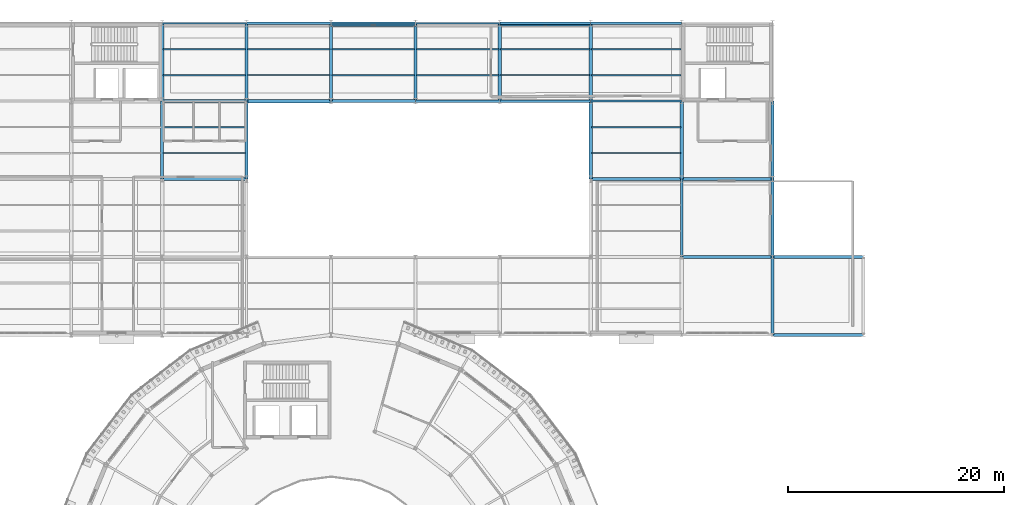
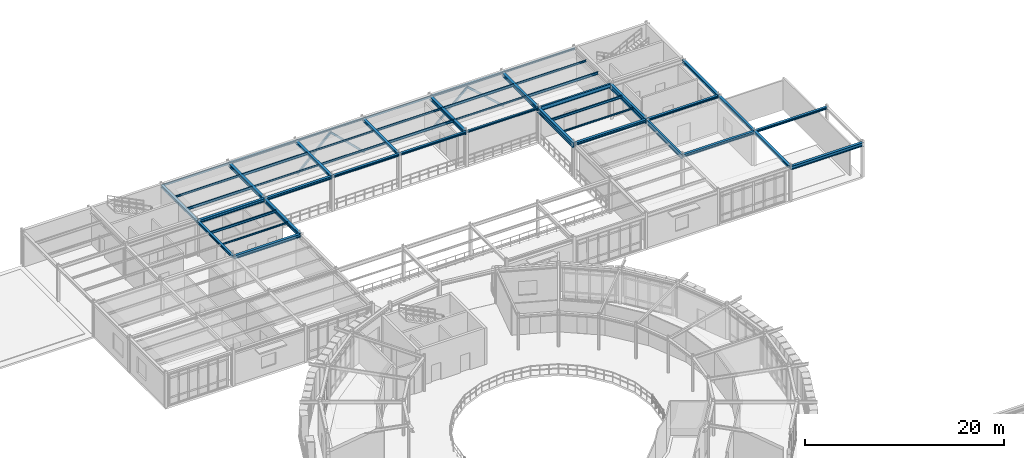
# One storey, part 59 of 106: 48 beams, 4 members.
"""IFC4 building model written with IfcOpenShell, lengths in metres."""

from ifc_helpers import new_model, si_unit, derived_unit, direction, frame, origin, origin_2d, place, context, subcontext, project, spatial, hollow_rectangle, i_section, extrude, material, material_profile, profile_set, type_object, element, save


model = new_model("IFC4")

# Units and contexts
model_context = context("Model", 3, precision=1e-05, world=origin(), true_north=direction((0.0, 1.0)))
body_context = subcontext(model_context, "Body", "Model", "MODEL_VIEW")
ifc_project = project(units=[si_unit("LENGTHUNIT", "METRE"), si_unit("AREAUNIT", "SQUARE_METRE"), si_unit("VOLUMEUNIT", "CUBIC_METRE"), si_unit("PLANEANGLEUNIT", "RADIAN"), si_unit("MASSUNIT", "GRAM", prefix="KILO"), derived_unit("THERMALTRANSMITTANCEUNIT", [(si_unit("POWERUNIT", "WATT"), 1), (si_unit("AREAUNIT", "SQUARE_METRE"), -1), (si_unit("THERMODYNAMICTEMPERATUREUNIT", "KELVIN"), -1)])], contexts=[model_context])

# Site, building, storey
site_placement = place(None, origin())
site = spatial("IfcSite", under=ifc_project, at=site_placement, CompositionType="ELEMENT")
building_placement = place(site_placement, origin())
building = spatial("IfcBuilding", under=site, at=building_placement, Name="Yasenodar Specialist Clinic", CompositionType="ELEMENT")
storey_placement = place(building_placement, frame((0.0, 0.0, 4.5)))
storey = spatial("IfcBuildingStorey", under=building, at=storey_placement, Name="L01", CompositionType="ELEMENT", Elevation=4.5)

# Beams
ifc_material = material(Name="Steel S355", Category="steel")
ifc_material_profile_1 = material_profile(ifc_material, i_section(OverallWidth=0.219970703125, OverallDepth=0.2099609375, WebThickness=0.007080078125, FlangeThickness=0.010986328125, FilletRadius=0.01806640625, at=origin_2d()), Name="HEA 220")
ifc_profile_set_1 = profile_set([ifc_material_profile_1], Name="Steel S355")
beam_type_1 = type_object("IfcBeamType", Name="BM-HEA220", PredefinedType="BEAM", material=ifc_profile_set_1)
beam_1_placement = place(storey_placement, frame((96.60009765625, 104.39990234375, 4.14501953125), z_axis=(1.0, 0.0, 0.0), x_axis=(0.0, 1.0, 0.0)))
element("IfcBeam", 1, at=beam_1_placement, inside=storey, type_object=beam_type_1, Name="L01 Primary E-W Girder", PredefinedType="BEAM", context=body_context, shape_type="SweptSolid", body=[
    extrude(i_section(OverallWidth=0.219970703125, OverallDepth=0.2099609375, WebThickness=0.007080078125, FlangeThickness=0.010986328125, FilletRadius=0.01806640625, at=origin_2d()), origin(), (0.0, 0.0, 1.0), 8.39990234375),
])
ifc_material_profile_2 = material_profile(ifc_material, i_section(OverallWidth=0.260009765625, OverallDepth=0.25, WebThickness=0.007568359375, FlangeThickness=0.012451171875, FilletRadius=0.02392578125, at=origin_2d()), Name="HEA 260")
ifc_profile_set_2 = profile_set([ifc_material_profile_2], Name="Steel S355")
beam_type_2 = type_object("IfcBeamType", Name="BM-HEA260", PredefinedType="BEAM", material=ifc_profile_set_2)
beam_2_placement = place(storey_placement, frame((88.800048828125, 104.39990234375, 4.125), z_axis=(1.0, 0.0, 0.0), x_axis=(0.0, 1.0, 0.0)))
element("IfcBeam", 2, at=beam_2_placement, inside=storey, type_object=beam_type_2, Name="L01 Primary E-W Girder", PredefinedType="BEAM", context=body_context, shape_type="SweptSolid", body=[
    extrude(i_section(OverallWidth=0.260009765625, OverallDepth=0.25, WebThickness=0.007568359375, FlangeThickness=0.012451171875, FilletRadius=0.02392578125, at=origin_2d()), origin(), (0.0, 0.0, 1.0), 7.800048828125),
])
ifc_material_profile_3 = material_profile(ifc_material, i_section(OverallWidth=0.280029296875, OverallDepth=0.27001953125, WebThickness=0.008056640625, FlangeThickness=0.012939453125, FilletRadius=0.02392578125, at=origin_2d()), Name="HEA 280")
ifc_profile_set_3 = profile_set([ifc_material_profile_3], Name="Steel S355")
beam_type_3 = type_object("IfcBeamType", Name="BM-HEA280", PredefinedType="BEAM", material=ifc_profile_set_3)
beam_3_placement = place(storey_placement, frame((121.800048828125, 90.0, 4.114990234375), z_axis=(1.0, 0.0, 0.0), x_axis=(0.0, 1.0, 0.0)))
element("IfcBeam", 3, at=beam_3_placement, inside=storey, type_object=beam_type_3, Name="L01 Primary E-W Girder", PredefinedType="BEAM", context=body_context, shape_type="SweptSolid", body=[
    extrude(i_section(OverallWidth=0.280029296875, OverallDepth=0.27001953125, WebThickness=0.008056640625, FlangeThickness=0.012939453125, FilletRadius=0.02392578125, at=origin_2d()), origin(), (0.0, 0.0, 1.0), 8.39990234375),
])
beam_4_placement = place(storey_placement, frame((113.39990234375, 97.199951171875, 4.114990234375), z_axis=(1.0, 0.0, 0.0), x_axis=(0.0, 1.0, 0.0)))
element("IfcBeam", 4, at=beam_4_placement, inside=storey, type_object=beam_type_3, Name="L01 Primary E-W Girder", PredefinedType="BEAM", context=body_context, shape_type="SweptSolid", body=[
    extrude(i_section(OverallWidth=0.280029296875, OverallDepth=0.27001953125, WebThickness=0.008056640625, FlangeThickness=0.012939453125, FilletRadius=0.02392578125, at=origin_2d()), origin(), (0.0, 0.0, 1.0), 8.400146484375),
])
beam_5_placement = place(storey_placement, frame((81.0, 104.39990234375, 4.114990234375), z_axis=(1.0, 0.0, 0.0), x_axis=(0.0, 1.0, 0.0)))
element("IfcBeam", 5, at=beam_5_placement, inside=storey, type_object=beam_type_3, Name="L01 Primary E-W Girder", PredefinedType="BEAM", context=body_context, shape_type="SweptSolid", body=[
    extrude(i_section(OverallWidth=0.280029296875, OverallDepth=0.27001953125, WebThickness=0.008056640625, FlangeThickness=0.012939453125, FilletRadius=0.02392578125, at=origin_2d()), origin(), (0.0, 0.0, 1.0), 7.800048828125),
])
ifc_material_profile_4 = material_profile(ifc_material, i_section(OverallWidth=0.300048828125, OverallDepth=0.2900390625, WebThickness=0.008544921875, FlangeThickness=0.013916015625, FilletRadius=0.027099609375, at=origin_2d()), Name="HEA 300")
ifc_profile_set_4 = profile_set([ifc_material_profile_4], Name="Steel S355")
beam_type_4 = type_object("IfcBeamType", Name="BM-HEA300", PredefinedType="BEAM", material=ifc_profile_set_4)
for number, where, z_axis, x_axis, name in (
    (6, (65.39990234375, 104.39990234375, 4.10498046875), (0.0, 1.0, 0.0), (-1.0, 0.0, 0.0), "L01 Primary N-S Girder"),
    (7, (88.800048828125, 104.39990234375, 4.10498046875), (0.0, 1.0, 0.0), (-1.0, 0.0, 0.0), "L01 Primary N-S Girder"),
):
    element("IfcBeam", number, at=place(storey_placement, frame(where, z_axis=z_axis, x_axis=x_axis)), inside=storey, type_object=beam_type_4, Name=name, PredefinedType="BEAM", context=body_context, shape_type="SweptSolid", body=[
        extrude(i_section(OverallWidth=0.300048828125, OverallDepth=0.2900390625, WebThickness=0.008544921875, FlangeThickness=0.013916015625, FilletRadius=0.027099609375, at=origin_2d()), origin(), (0.0, 0.0, 1.0), 7.2001953125),
    ])
beam_6_placement = place(storey_placement, frame((121.800048828125, 97.199951171875, 4.10498046875), z_axis=(0.0, 1.0, 0.0), x_axis=(-1.0, 0.0, 0.0)))
element("IfcBeam", 8, at=beam_6_placement, inside=storey, type_object=beam_type_4, Name="L01 Primary N-S Girder", PredefinedType="BEAM", context=body_context, shape_type="SweptSolid", body=[
    extrude(i_section(OverallWidth=0.300048828125, OverallDepth=0.2900390625, WebThickness=0.008544921875, FlangeThickness=0.013916015625, FilletRadius=0.027099609375, at=origin_2d()), origin(), (0.0, 0.0, 1.0), 7.199951171875),
])
ifc_material_profile_5 = material_profile(ifc_material, i_section(OverallWidth=0.300048828125, OverallDepth=0.330078125, WebThickness=0.009521484375, FlangeThickness=0.0166015625, FilletRadius=0.027099609375, at=origin_2d()), Name="HEA 340")
ifc_profile_set_5 = profile_set([ifc_material_profile_5], Name="Steel S355")
beam_type_5 = type_object("IfcBeamType", Name="BM-HEA340", PredefinedType="BEAM", material=ifc_profile_set_5)
beam_7_placement = place(storey_placement, frame((113.39990234375, 90.0, 4.0849609375), z_axis=(1.0, 0.0, 0.0), x_axis=(0.0, 1.0, 0.0)))
element("IfcBeam", 9, at=beam_7_placement, inside=storey, type_object=beam_type_5, Name="L01 Primary E-W Girder", PredefinedType="BEAM", context=body_context, shape_type="SweptSolid", body=[
    extrude(i_section(OverallWidth=0.300048828125, OverallDepth=0.330078125, WebThickness=0.009521484375, FlangeThickness=0.0166015625, FilletRadius=0.027099609375, at=origin_2d()), origin(), (0.0, 0.0, 1.0), 8.400146484375),
])
beam_8_placement = place(storey_placement, frame((105.0, 97.199951171875, 4.0849609375), z_axis=(1.0, 0.0, 0.0), x_axis=(0.0, 1.0, 0.0)))
element("IfcBeam", 10, at=beam_8_placement, inside=storey, type_object=beam_type_5, Name="L01 Primary E-W Girder", PredefinedType="BEAM", context=body_context, shape_type="SweptSolid", body=[
    extrude(i_section(OverallWidth=0.300048828125, OverallDepth=0.330078125, WebThickness=0.009521484375, FlangeThickness=0.0166015625, FilletRadius=0.027099609375, at=origin_2d()), origin(), (0.0, 0.0, 1.0), 8.39990234375),
])
beam_9_placement = place(storey_placement, frame((73.199951171875, 104.39990234375, 4.0849609375), z_axis=(1.0, 0.0, 0.0), x_axis=(0.0, 1.0, 0.0)))
element("IfcBeam", 11, at=beam_9_placement, inside=storey, type_object=beam_type_5, Name="L01 Primary E-W Girder", PredefinedType="BEAM", context=body_context, shape_type="SweptSolid", body=[
    extrude(i_section(OverallWidth=0.300048828125, OverallDepth=0.330078125, WebThickness=0.009521484375, FlangeThickness=0.0166015625, FilletRadius=0.027099609375, at=origin_2d()), origin(), (0.0, 0.0, 1.0), 7.800048828125),
])
ifc_material_profile_6 = material_profile(ifc_material, i_section(OverallWidth=0.300048828125, OverallDepth=0.389892578125, WebThickness=0.010986328125, FlangeThickness=0.01904296875, FilletRadius=0.027099609375, at=origin_2d()), Name="HEA 400")
ifc_profile_set_6 = profile_set([ifc_material_profile_6], Name="Steel S355")
beam_type_6 = type_object("IfcBeamType", Name="BM-HEA400", PredefinedType="BEAM", material=ifc_profile_set_6)
for number, where, z_axis, x_axis, name in (
    (12, (65.39990234375, 97.199951171875, 4.054931640625), (1.0, 0.0, 0.0), (0.0, 1.0, 0.0), "L01 Primary E-W Girder"),
    (13, (65.39990234375, 104.39990234375, 4.054931640625), (1.0, 0.0, 0.0), (0.0, 1.0, 0.0), "L01 Primary E-W Girder"),
):
    element("IfcBeam", number, at=place(storey_placement, frame(where, z_axis=z_axis, x_axis=x_axis)), inside=storey, type_object=beam_type_6, Name=name, PredefinedType="BEAM", context=body_context, shape_type="SweptSolid", body=[
        extrude(i_section(OverallWidth=0.300048828125, OverallDepth=0.389892578125, WebThickness=0.010986328125, FlangeThickness=0.01904296875, FilletRadius=0.027099609375, at=origin_2d()), origin(), (0.0, 0.0, 1.0), 7.800048828125),
    ])
ifc_material_profile_7 = material_profile(ifc_material, i_section(OverallWidth=0.300048828125, OverallDepth=0.43994140625, WebThickness=0.011474609375, FlangeThickness=0.02099609375, FilletRadius=0.027099609375, at=origin_2d()), Name="HEA 450")
ifc_profile_set_7 = profile_set([ifc_material_profile_7], Name="Steel S355")
beam_type_7 = type_object("IfcBeamType", Name="BM-HEA450", PredefinedType="BEAM", material=ifc_profile_set_7)
beam_10_placement = place(storey_placement, frame((121.800048828125, 82.800048828125, 4.030029296875), z_axis=(1.0, 0.0, 0.0), x_axis=(0.0, 1.0, 0.0)))
element("IfcBeam", 14, at=beam_10_placement, inside=storey, type_object=beam_type_7, Name="L01 Primary E-W Girder", PredefinedType="BEAM", context=body_context, shape_type="SweptSolid", body=[
    extrude(i_section(OverallWidth=0.300048828125, OverallDepth=0.43994140625, WebThickness=0.011474609375, FlangeThickness=0.02099609375, FilletRadius=0.027099609375, at=origin_2d()), origin(), (0.0, 0.0, 1.0), 8.39990234375),
])
ifc_material_profile_8 = material_profile(ifc_material, i_section(OverallWidth=0.280029296875, OverallDepth=0.280029296875, WebThickness=0.010498046875, FlangeThickness=0.01806640625, FilletRadius=0.02392578125, at=origin_2d()), Name="HEB 280")
ifc_profile_set_8 = profile_set([ifc_material_profile_8], Name="Steel S355")
beam_type_8 = type_object("IfcBeamType", Name="BM-HEB280", PredefinedType="BEAM", material=ifc_profile_set_8)
for number, where, z_axis, x_axis, name in (
    (15, (65.39990234375, 97.199951171875, 4.110107421875), (0.0, 1.0, 0.0), (-1.0, 0.0, 0.0), "L01 Primary N-S Girder"),
    (16, (121.800048828125, 90.0, 4.110107421875), (0.0, 1.0, 0.0), (-1.0, 0.0, 0.0), "L01 Primary N-S Girder"),
):
    element("IfcBeam", number, at=place(storey_placement, frame(where, z_axis=z_axis, x_axis=x_axis)), inside=storey, type_object=beam_type_8, Name=name, PredefinedType="BEAM", context=body_context, shape_type="SweptSolid", body=[
        extrude(i_section(OverallWidth=0.280029296875, OverallDepth=0.280029296875, WebThickness=0.010498046875, FlangeThickness=0.01806640625, FilletRadius=0.02392578125, at=origin_2d()), origin(), (0.0, 0.0, 1.0), 7.199951171875),
    ])
ifc_material_profile_9 = material_profile(ifc_material, i_section(OverallWidth=0.300048828125, OverallDepth=0.300048828125, WebThickness=0.010986328125, FlangeThickness=0.01904296875, FilletRadius=0.027099609375, at=origin_2d()), Name="HEB 300")
ifc_profile_set_9 = profile_set([ifc_material_profile_9], Name="Steel S355")
beam_type_9 = type_object("IfcBeamType", Name="BM-HEB300", PredefinedType="BEAM", material=ifc_profile_set_9)
beam_11_placement = place(storey_placement, frame((81.0, 104.39990234375, 4.10009765625), z_axis=(0.0, 1.0, 0.0), x_axis=(-1.0, 0.0, 0.0)))
element("IfcBeam", 17, at=beam_11_placement, inside=storey, type_object=beam_type_9, Name="L01 Primary N-S Girder", PredefinedType="BEAM", context=body_context, shape_type="SweptSolid", body=[
    extrude(i_section(OverallWidth=0.300048828125, OverallDepth=0.300048828125, WebThickness=0.010986328125, FlangeThickness=0.01904296875, FilletRadius=0.027099609375, at=origin_2d()), origin(), (0.0, 0.0, 1.0), 7.2001953125),
])
beam_12_placement = place(storey_placement, frame((121.800048828125, 82.800048828125, 4.10009765625), z_axis=(0.0, 1.0, 0.0), x_axis=(-1.0, 0.0, 0.0)))
element("IfcBeam", 18, at=beam_12_placement, inside=storey, type_object=beam_type_9, Name="L01 Primary N-S Girder", PredefinedType="BEAM", context=body_context, shape_type="SweptSolid", body=[
    extrude(i_section(OverallWidth=0.300048828125, OverallDepth=0.300048828125, WebThickness=0.010986328125, FlangeThickness=0.01904296875, FilletRadius=0.027099609375, at=origin_2d()), origin(), (0.0, 0.0, 1.0), 7.199951171875),
])
ifc_material_profile_10 = material_profile(ifc_material, i_section(OverallWidth=0.300048828125, OverallDepth=0.39990234375, WebThickness=0.013427734375, FlangeThickness=0.02392578125, FilletRadius=0.027099609375, at=origin_2d()), Name="HEB 400")
ifc_profile_set_10 = profile_set([ifc_material_profile_10], Name="Steel S355")
beam_type_10 = type_object("IfcBeamType", Name="BM-HEB400", PredefinedType="BEAM", material=ifc_profile_set_10)
beam_13_placement = place(storey_placement, frame((73.199951171875, 104.39990234375, 4.050048828125), z_axis=(0.0, 1.0, 0.0), x_axis=(-1.0, 0.0, 0.0)))
element("IfcBeam", 19, at=beam_13_placement, inside=storey, type_object=beam_type_10, Name="L01 Primary N-S Girder", PredefinedType="BEAM", context=body_context, shape_type="SweptSolid", body=[
    extrude(i_section(OverallWidth=0.300048828125, OverallDepth=0.39990234375, WebThickness=0.013427734375, FlangeThickness=0.02392578125, FilletRadius=0.027099609375, at=origin_2d()), origin(), (0.0, 0.0, 1.0), 7.2001953125),
])
ifc_material_profile_11 = material_profile(ifc_material, i_section(OverallWidth=0.300048828125, OverallDepth=0.449951171875, WebThickness=0.013916015625, FlangeThickness=0.02587890625, FilletRadius=0.027099609375, at=origin_2d()), Name="HEB 450")
ifc_profile_set_11 = profile_set([ifc_material_profile_11], Name="Steel S355")
beam_type_11 = type_object("IfcBeamType", Name="BM-HEB450", PredefinedType="BEAM", material=ifc_profile_set_11)
beam_14_placement = place(storey_placement, frame((73.199951171875, 97.199951171875, 4.02490234375), z_axis=(0.0, 1.0, 0.0), x_axis=(-1.0, 0.0, 0.0)))
element("IfcBeam", 20, at=beam_14_placement, inside=storey, type_object=beam_type_11, Name="L01 Primary N-S Girder", PredefinedType="BEAM", context=body_context, shape_type="SweptSolid", body=[
    extrude(i_section(OverallWidth=0.300048828125, OverallDepth=0.449951171875, WebThickness=0.013916015625, FlangeThickness=0.02587890625, FilletRadius=0.027099609375, at=origin_2d()), origin(), (0.0, 0.0, 1.0), 7.199951171875),
])
for number, where, z_axis, x_axis, name in (
    (21, (96.60009765625, 104.39990234375, 4.02490234375), (0.0, 1.0, 0.0), (-1.0, 0.0, 0.0), "L01 Primary N-S Girder"),
    (22, (105.0, 104.39990234375, 4.02490234375), (0.0, 1.0, 0.0), (-1.0, 0.0, 0.0), "L01 Primary N-S Girder"),
):
    element("IfcBeam", number, at=place(storey_placement, frame(where, z_axis=z_axis, x_axis=x_axis)), inside=storey, type_object=beam_type_11, Name=name, PredefinedType="BEAM", context=body_context, shape_type="SweptSolid", body=[
        extrude(i_section(OverallWidth=0.300048828125, OverallDepth=0.449951171875, WebThickness=0.013916015625, FlangeThickness=0.02587890625, FilletRadius=0.027099609375, at=origin_2d()), origin(), (0.0, 0.0, 1.0), 7.2001953125),
    ])
ifc_material_profile_12 = material_profile(ifc_material, i_section(OverallWidth=0.300048828125, OverallDepth=0.60009765625, WebThickness=0.015380859375, FlangeThickness=0.030029296875, FilletRadius=0.027099609375, at=origin_2d()), Name="HEB 600")
ifc_profile_set_12 = profile_set([ifc_material_profile_12], Name="Steel S355")
beam_type_12 = type_object("IfcBeamType", Name="BM-HEB600", PredefinedType="BEAM", material=ifc_profile_set_12)
for number, where, z_axis, x_axis, name in (
    (23, (105.0, 97.199951171875, 3.949951171875), (0.0, 1.0, 0.0), (-1.0, 0.0, 0.0), "L01 Primary N-S Girder"),
    (24, (113.39990234375, 97.199951171875, 3.949951171875), (0.0, 1.0, 0.0), (-1.0, 0.0, 0.0), "L01 Primary N-S Girder"),
):
    element("IfcBeam", number, at=place(storey_placement, frame(where, z_axis=z_axis, x_axis=x_axis)), inside=storey, type_object=beam_type_12, Name=name, PredefinedType="BEAM", context=body_context, shape_type="SweptSolid", body=[
        extrude(i_section(OverallWidth=0.300048828125, OverallDepth=0.60009765625, WebThickness=0.015380859375, FlangeThickness=0.030029296875, FilletRadius=0.027099609375, at=origin_2d()), origin(), (0.0, 0.0, 1.0), 7.199951171875),
    ])
ifc_material_profile_13 = material_profile(ifc_material, i_section(OverallWidth=0.199951171875, OverallDepth=0.5, WebThickness=0.01025390625, FlangeThickness=0.01611328125, FilletRadius=0.02099609375, at=origin_2d()), Name="IPE 500")
ifc_profile_set_13 = profile_set([ifc_material_profile_13], Name="Steel S355")
beam_type_13 = type_object("IfcBeamType", Name="BM-IPE500", PredefinedType="BEAM", material=ifc_profile_set_13)
beam_15_placement = place(storey_placement, frame((105.0, 104.39990234375, 4.0), z_axis=(1.0, 0.0, 0.0), x_axis=(0.0, 1.0, 0.0)))
element("IfcBeam", 25, at=beam_15_placement, inside=storey, type_object=beam_type_13, Name="L01 Primary E-W Girder", PredefinedType="BEAM", context=body_context, shape_type="SweptSolid", body=[
    extrude(i_section(OverallWidth=0.199951171875, OverallDepth=0.5, WebThickness=0.01025390625, FlangeThickness=0.01611328125, FilletRadius=0.02099609375, at=origin_2d()), origin(), (0.0, 0.0, 1.0), 8.39990234375),
])
ifc_material_profile_14 = material_profile(ifc_material, i_section(OverallWidth=0.2099609375, OverallDepth=0.550048828125, WebThickness=0.010986328125, FlangeThickness=0.01708984375, FilletRadius=0.02392578125, at=origin_2d()), Name="IPE 550")
ifc_profile_set_14 = profile_set([ifc_material_profile_14], Name="Steel S355")
beam_type_14 = type_object("IfcBeamType", Name="BM-IPE550", PredefinedType="BEAM", material=ifc_profile_set_14)
beam_16_placement = place(storey_placement, frame((113.39990234375, 90.0, 3.97509765625), z_axis=(0.0, 1.0, 0.0), x_axis=(-1.0, 0.0, 0.0)))
element("IfcBeam", 26, at=beam_16_placement, inside=storey, type_object=beam_type_14, Name="L01 Primary N-S Girder", PredefinedType="BEAM", context=body_context, shape_type="SweptSolid", body=[
    extrude(i_section(OverallWidth=0.2099609375, OverallDepth=0.550048828125, WebThickness=0.010986328125, FlangeThickness=0.01708984375, FilletRadius=0.02392578125, at=origin_2d()), origin(), (0.0, 0.0, 1.0), 7.199951171875),
])

# Members
ifc_material_profile_15 = material_profile(ifc_material, hollow_rectangle(XDim=0.14990234375, YDim=0.25, WallThickness=0.010009765625, InnerFilletRadius=0.014892578125, OuterFilletRadius=0.02490234375, at=origin_2d()), Name="RHS 250x150x10")
ifc_profile_set_15 = profile_set([ifc_material_profile_15], Name="Steel S355")
member_type_1 = type_object("IfcMemberType", Name="BR-LAT-RHS250", PredefinedType="BRACE", material=ifc_profile_set_15)
for number, where, z_axis, x_axis, name in (
    (27, (96.60009765625, 111.425048828125, 0.14990234375), (0.741527609628, 0.0, 0.670922353302), (0.0, 1.0, 0.0), "L01 Lateral Chevron Brace 12A"),
    (28, (105.0, 111.425048828125, 0.14990234375), (-0.741527609628, 0.0, 0.670922353302), (0.0, -1.0, 0.0), "L01 Lateral Chevron Brace 12B"),
):
    element("IfcMember", number, at=place(storey_placement, frame(where, z_axis=z_axis, x_axis=x_axis)), inside=storey, type_object=member_type_1, Name=name, PredefinedType="BRACE", context=body_context, shape_type="SweptSolid", body=[
        extrude(hollow_rectangle(XDim=0.14990234375, YDim=0.25, WallThickness=0.010009765625, InnerFilletRadius=0.014892578125, OuterFilletRadius=0.02490234375, at=origin_2d()), origin(), (0.0, 0.0, 1.0), 5.663818359375),
    ])
ifc_material_profile_16 = material_profile(ifc_material, hollow_rectangle(XDim=0.219970703125, YDim=0.219970703125, WallThickness=0.012451171875, InnerFilletRadius=0.018798828125, OuterFilletRadius=0.03125, at=origin_2d()), Name="SHS 220x220x12.5")
ifc_profile_set_16 = profile_set([ifc_material_profile_16], Name="Steel S355")
member_type_2 = type_object("IfcMemberType", Name="BR-LAT-SHS220", PredefinedType="BRACE", material=ifc_profile_set_16)
member_1_placement = place(storey_placement, frame((81.0, 111.425048828125, 0.14990234375), z_axis=(0.716216371491, 0.0, 0.697878291114), x_axis=(0.0, 1.0, 0.0)))
element("IfcMember", 29, at=member_1_placement, inside=storey, type_object=member_type_2, Name="L01 Lateral Chevron Brace 05A", PredefinedType="BRACE", context=body_context, shape_type="SweptSolid", body=[
    extrude(hollow_rectangle(XDim=0.219970703125, YDim=0.219970703125, WallThickness=0.012451171875, InnerFilletRadius=0.018798828125, OuterFilletRadius=0.03125, at=origin_2d()), origin(), (0.0, 0.0, 1.0), 5.445068359375),
])
member_2_placement = place(storey_placement, frame((88.800048828125, 111.425048828125, 0.14990234375), z_axis=(-0.716238207287, 0.0, 0.69785588084), x_axis=(0.0, -1.0, 0.0)))
element("IfcMember", 30, at=member_2_placement, inside=storey, type_object=member_type_2, Name="L01 Lateral Chevron Brace 05B", PredefinedType="BRACE", context=body_context, shape_type="SweptSolid", body=[
    extrude(hollow_rectangle(XDim=0.219970703125, YDim=0.219970703125, WallThickness=0.012451171875, InnerFilletRadius=0.018798828125, OuterFilletRadius=0.03125, at=origin_2d()), origin(), (0.0, 0.0, 1.0), 5.4453125),
])

# Beams
ifc_material_profile_17 = material_profile(ifc_material, i_section(OverallWidth=0.10009765625, OverallDepth=0.199951171875, WebThickness=0.005615234375, FlangeThickness=0.008544921875, FilletRadius=0.011962890625, at=origin_2d()), Name="IPE 200")
ifc_profile_set_17 = profile_set([ifc_material_profile_17], Name="Steel S355")
beam_type_15 = type_object("IfcBeamType", Name="JS-IPE200", PredefinedType="JOIST", material=ifc_profile_set_17)
beam_17_placement = place(storey_placement, frame((65.47998046875, 99.60009765625, 4.14990234375), z_axis=(1.0, 0.0, 0.0), x_axis=(0.0, 1.0, 0.0)))
element("IfcBeam", 31, at=beam_17_placement, inside=storey, type_object=beam_type_15, Name="L01 Composite Floor Joist", PredefinedType="JOIST", context=body_context, shape_type="SweptSolid", body=[
    extrude(i_section(OverallWidth=0.10009765625, OverallDepth=0.199951171875, WebThickness=0.005615234375, FlangeThickness=0.008544921875, FilletRadius=0.011962890625, at=origin_2d()), origin(), (0.0, 0.0, 1.0), 7.64013671875),
])
for number, where, z_axis, x_axis, name in (
    (32, (73.280029296875, 106.800048828125, 4.14990234375), (1.0, 0.0, 0.0), (0.0, 1.0, 0.0), "L01 Composite Floor Joist"),
    (33, (81.080078125, 109.199951171875, 4.14990234375), (1.0, 0.0, 0.0), (0.0, 1.0, 0.0), "L01 Composite Floor Joist"),
):
    element("IfcBeam", number, at=place(storey_placement, frame(where, z_axis=z_axis, x_axis=x_axis)), inside=storey, type_object=beam_type_15, Name=name, PredefinedType="JOIST", context=body_context, shape_type="SweptSolid", body=[
        extrude(i_section(OverallWidth=0.10009765625, OverallDepth=0.199951171875, WebThickness=0.005615234375, FlangeThickness=0.008544921875, FilletRadius=0.011962890625, at=origin_2d()), origin(), (0.0, 0.0, 1.0), 7.639892578125),
    ])
for number, where, z_axis, x_axis, name in (
    (34, (96.679931640625, 106.800048828125, 4.14990234375), (1.0, 0.0, 0.0), (0.0, 1.0, 0.0), "L01 Composite Floor Joist"),
    (35, (105.080078125, 99.60009765625, 4.14990234375), (1.0, 0.0, 0.0), (0.0, 1.0, 0.0), "L01 Composite Floor Joist"),
):
    element("IfcBeam", number, at=place(storey_placement, frame(where, z_axis=z_axis, x_axis=x_axis)), inside=storey, type_object=beam_type_15, Name=name, PredefinedType="JOIST", context=body_context, shape_type="SweptSolid", body=[
        extrude(i_section(OverallWidth=0.10009765625, OverallDepth=0.199951171875, WebThickness=0.005615234375, FlangeThickness=0.008544921875, FilletRadius=0.011962890625, at=origin_2d()), origin(), (0.0, 0.0, 1.0), 8.239990234375),
    ])
ifc_material_profile_18 = material_profile(ifc_material, i_section(OverallWidth=0.1201171875, OverallDepth=0.239990234375, WebThickness=0.006103515625, FlangeThickness=0.009765625, FilletRadius=0.014892578125, at=origin_2d()), Name="IPE 240")
ifc_profile_set_18 = profile_set([ifc_material_profile_18], Name="Steel S355")
beam_type_16 = type_object("IfcBeamType", Name="JS-IPE240", PredefinedType="JOIST", material=ifc_profile_set_18)
beam_18_placement = place(storey_placement, frame((65.47998046875, 109.199951171875, 4.1298828125), z_axis=(1.0, 0.0, 0.0), x_axis=(0.0, 1.0, 0.0)))
element("IfcBeam", 36, at=beam_18_placement, inside=storey, type_object=beam_type_16, Name="L01 Composite Floor Joist", PredefinedType="JOIST", context=body_context, shape_type="SweptSolid", body=[
    extrude(i_section(OverallWidth=0.1201171875, OverallDepth=0.239990234375, WebThickness=0.006103515625, FlangeThickness=0.009765625, FilletRadius=0.014892578125, at=origin_2d()), origin(), (0.0, 0.0, 1.0), 7.64013671875),
])
beam_19_placement = place(storey_placement, frame((81.080078125, 106.800048828125, 4.1298828125), z_axis=(1.0, 0.0, 0.0), x_axis=(0.0, 1.0, 0.0)))
element("IfcBeam", 37, at=beam_19_placement, inside=storey, type_object=beam_type_16, Name="L01 Composite Floor Joist", PredefinedType="JOIST", context=body_context, shape_type="SweptSolid", body=[
    extrude(i_section(OverallWidth=0.1201171875, OverallDepth=0.239990234375, WebThickness=0.006103515625, FlangeThickness=0.009765625, FilletRadius=0.014892578125, at=origin_2d()), origin(), (0.0, 0.0, 1.0), 7.639892578125),
])
beam_20_placement = place(storey_placement, frame((88.8798828125, 109.199951171875, 4.1298828125), z_axis=(1.0, 0.0, 0.0), x_axis=(0.0, 1.0, 0.0)))
element("IfcBeam", 38, at=beam_20_placement, inside=storey, type_object=beam_type_16, Name="L01 Composite Floor Joist", PredefinedType="JOIST", context=body_context, shape_type="SweptSolid", body=[
    extrude(i_section(OverallWidth=0.1201171875, OverallDepth=0.239990234375, WebThickness=0.006103515625, FlangeThickness=0.009765625, FilletRadius=0.014892578125, at=origin_2d()), origin(), (0.0, 0.0, 1.0), 7.64013671875),
])
beam_21_placement = place(storey_placement, frame((105.080078125, 109.199951171875, 4.1298828125), z_axis=(1.0, 0.0, 0.0), x_axis=(0.0, 1.0, 0.0)))
element("IfcBeam", 39, at=beam_21_placement, inside=storey, type_object=beam_type_16, Name="L01 Composite Floor Joist", PredefinedType="JOIST", context=body_context, shape_type="SweptSolid", body=[
    extrude(i_section(OverallWidth=0.1201171875, OverallDepth=0.239990234375, WebThickness=0.006103515625, FlangeThickness=0.009765625, FilletRadius=0.014892578125, at=origin_2d()), origin(), (0.0, 0.0, 1.0), 8.239990234375),
])
ifc_material_profile_19 = material_profile(ifc_material, i_section(OverallWidth=0.14990234375, OverallDepth=0.300048828125, WebThickness=0.007080078125, FlangeThickness=0.0107421875, FilletRadius=0.014892578125, at=origin_2d()), Name="IPE 300")
ifc_profile_set_19 = profile_set([ifc_material_profile_19], Name="Steel S355")
beam_type_17 = type_object("IfcBeamType", Name="JS-IPE300", PredefinedType="JOIST", material=ifc_profile_set_19)
for number, where, z_axis, x_axis, name in (
    (40, (65.47998046875, 102.0, 4.10009765625), (1.0, 0.0, 0.0), (0.0, 1.0, 0.0), "L01 Composite Floor Joist"),
    (41, (65.47998046875, 106.800048828125, 4.10009765625), (1.0, 0.0, 0.0), (0.0, 1.0, 0.0), "L01 Composite Floor Joist"),
):
    element("IfcBeam", number, at=place(storey_placement, frame(where, z_axis=z_axis, x_axis=x_axis)), inside=storey, type_object=beam_type_17, Name=name, PredefinedType="JOIST", context=body_context, shape_type="SweptSolid", body=[
        extrude(i_section(OverallWidth=0.14990234375, OverallDepth=0.300048828125, WebThickness=0.007080078125, FlangeThickness=0.0107421875, FilletRadius=0.014892578125, at=origin_2d()), origin(), (0.0, 0.0, 1.0), 7.64013671875),
    ])
beam_22_placement = place(storey_placement, frame((73.280029296875, 109.199951171875, 4.10009765625), z_axis=(1.0, 0.0, 0.0), x_axis=(0.0, 1.0, 0.0)))
element("IfcBeam", 42, at=beam_22_placement, inside=storey, type_object=beam_type_17, Name="L01 Composite Floor Joist", PredefinedType="JOIST", context=body_context, shape_type="SweptSolid", body=[
    extrude(i_section(OverallWidth=0.14990234375, OverallDepth=0.300048828125, WebThickness=0.007080078125, FlangeThickness=0.0107421875, FilletRadius=0.014892578125, at=origin_2d()), origin(), (0.0, 0.0, 1.0), 7.639892578125),
])
beam_23_placement = place(storey_placement, frame((88.8798828125, 106.800048828125, 4.10009765625), z_axis=(1.0, 0.0, 0.0), x_axis=(0.0, 1.0, 0.0)))
element("IfcBeam", 43, at=beam_23_placement, inside=storey, type_object=beam_type_17, Name="L01 Composite Floor Joist", PredefinedType="JOIST", context=body_context, shape_type="SweptSolid", body=[
    extrude(i_section(OverallWidth=0.14990234375, OverallDepth=0.300048828125, WebThickness=0.007080078125, FlangeThickness=0.0107421875, FilletRadius=0.014892578125, at=origin_2d()), origin(), (0.0, 0.0, 1.0), 7.64013671875),
])
for number, where, z_axis, x_axis, name in (
    (44, (96.679931640625, 109.199951171875, 4.10009765625), (1.0, 0.0, 0.0), (0.0, 1.0, 0.0), "L01 Composite Floor Joist"),
    (45, (105.080078125, 102.0, 4.10009765625), (1.0, 0.0, 0.0), (0.0, 1.0, 0.0), "L01 Composite Floor Joist"),
    (46, (105.080078125, 106.800048828125, 4.10009765625), (1.0, 0.0, 0.0), (0.0, 1.0, 0.0), "L01 Composite Floor Joist"),
):
    element("IfcBeam", number, at=place(storey_placement, frame(where, z_axis=z_axis, x_axis=x_axis)), inside=storey, type_object=beam_type_17, Name=name, PredefinedType="JOIST", context=body_context, shape_type="SweptSolid", body=[
        extrude(i_section(OverallWidth=0.14990234375, OverallDepth=0.300048828125, WebThickness=0.007080078125, FlangeThickness=0.0107421875, FilletRadius=0.014892578125, at=origin_2d()), origin(), (0.0, 0.0, 1.0), 8.239990234375),
    ])
ifc_material_profile_20 = material_profile(ifc_material, i_section(OverallWidth=0.199951171875, OverallDepth=0.18994140625, WebThickness=0.006591796875, FlangeThickness=0.010009765625, FilletRadius=0.01806640625, at=origin_2d()), Name="HEA 200")
ifc_profile_set_20 = profile_set([ifc_material_profile_20], Name="Steel S355")
beam_type_18 = type_object("IfcBeamType", Name="SP-HEA200", PredefinedType="SPANDREL", material=ifc_profile_set_20)
beam_24_placement = place(storey_placement, frame((81.0, 111.60009765625, 4.155029296875), z_axis=(1.0, 0.0, 0.0), x_axis=(0.0, 1.0, 0.0)))
element("IfcBeam", 47, at=beam_24_placement, inside=storey, type_object=beam_type_18, Name="L01 Perimeter Spandrel Beam", PredefinedType="SPANDREL", context=body_context, shape_type="SweptSolid", body=[
    extrude(i_section(OverallWidth=0.199951171875, OverallDepth=0.18994140625, WebThickness=0.006591796875, FlangeThickness=0.010009765625, FilletRadius=0.01806640625, at=origin_2d()), origin(), (0.0, 0.0, 1.0), 7.800048828125),
])
beam_25_placement = place(storey_placement, frame((105.0, 111.60009765625, 4.155029296875), z_axis=(1.0, 0.0, 0.0), x_axis=(0.0, 1.0, 0.0)))
element("IfcBeam", 48, at=beam_25_placement, inside=storey, type_object=beam_type_18, Name="L01 Perimeter Spandrel Beam", PredefinedType="SPANDREL", context=body_context, shape_type="SweptSolid", body=[
    extrude(i_section(OverallWidth=0.199951171875, OverallDepth=0.18994140625, WebThickness=0.006591796875, FlangeThickness=0.010009765625, FilletRadius=0.01806640625, at=origin_2d()), origin(), (0.0, 0.0, 1.0), 8.39990234375),
])
ifc_material_profile_21 = material_profile(ifc_material, i_section(OverallWidth=0.239990234375, OverallDepth=0.22998046875, WebThickness=0.007568359375, FlangeThickness=0.011962890625, FilletRadius=0.02099609375, at=origin_2d()), Name="HEA 240")
ifc_profile_set_21 = profile_set([ifc_material_profile_21], Name="Steel S355")
beam_type_19 = type_object("IfcBeamType", Name="SP-HEA240", PredefinedType="SPANDREL", material=ifc_profile_set_21)
beam_26_placement = place(storey_placement, frame((73.199951171875, 111.60009765625, 4.135009765625), z_axis=(1.0, 0.0, 0.0), x_axis=(0.0, 1.0, 0.0)))
element("IfcBeam", 49, at=beam_26_placement, inside=storey, type_object=beam_type_19, Name="L01 Perimeter Spandrel Beam", PredefinedType="SPANDREL", context=body_context, shape_type="SweptSolid", body=[
    extrude(i_section(OverallWidth=0.239990234375, OverallDepth=0.22998046875, WebThickness=0.007568359375, FlangeThickness=0.011962890625, FilletRadius=0.02099609375, at=origin_2d()), origin(), (0.0, 0.0, 1.0), 7.800048828125),
])
beam_27_placement = place(storey_placement, frame((96.60009765625, 111.60009765625, 4.135009765625), z_axis=(1.0, 0.0, 0.0), x_axis=(0.0, 1.0, 0.0)))
element("IfcBeam", 50, at=beam_27_placement, inside=storey, type_object=beam_type_19, Name="L01 Perimeter Spandrel Beam", PredefinedType="SPANDREL", context=body_context, shape_type="SweptSolid", body=[
    extrude(i_section(OverallWidth=0.239990234375, OverallDepth=0.22998046875, WebThickness=0.007568359375, FlangeThickness=0.011962890625, FilletRadius=0.02099609375, at=origin_2d()), origin(), (0.0, 0.0, 1.0), 8.39990234375),
])
ifc_material_profile_22 = material_profile(ifc_material, hollow_rectangle(XDim=0.14990234375, YDim=0.25, WallThickness=0.010009765625, InnerFilletRadius=0.014892578125, OuterFilletRadius=0.02490234375, at=origin_2d()), Name="RHS 250x150x10")
ifc_profile_set_22 = profile_set([ifc_material_profile_22], Name="Steel S355")
beam_type_20 = type_object("IfcBeamType", Name="SP-RHS250", PredefinedType="SPANDREL", material=ifc_profile_set_22)
for number, where, z_axis, x_axis, name in (
    (51, (65.39990234375, 111.60009765625, 4.125), (1.0, 0.0, 0.0), (0.0, 1.0, 0.0), "L01 Perimeter Spandrel Beam"),
    (52, (88.800048828125, 111.60009765625, 4.125), (1.0, 0.0, 0.0), (0.0, 1.0, 0.0), "L01 Perimeter Spandrel Beam"),
):
    element("IfcBeam", number, at=place(storey_placement, frame(where, z_axis=z_axis, x_axis=x_axis)), inside=storey, type_object=beam_type_20, Name=name, PredefinedType="SPANDREL", context=body_context, shape_type="SweptSolid", body=[
        extrude(hollow_rectangle(XDim=0.14990234375, YDim=0.25, WallThickness=0.010009765625, InnerFilletRadius=0.014892578125, OuterFilletRadius=0.02490234375, at=origin_2d()), origin(), (0.0, 0.0, 1.0), 7.800048828125),
    ])

save(model, "model.ifc")
